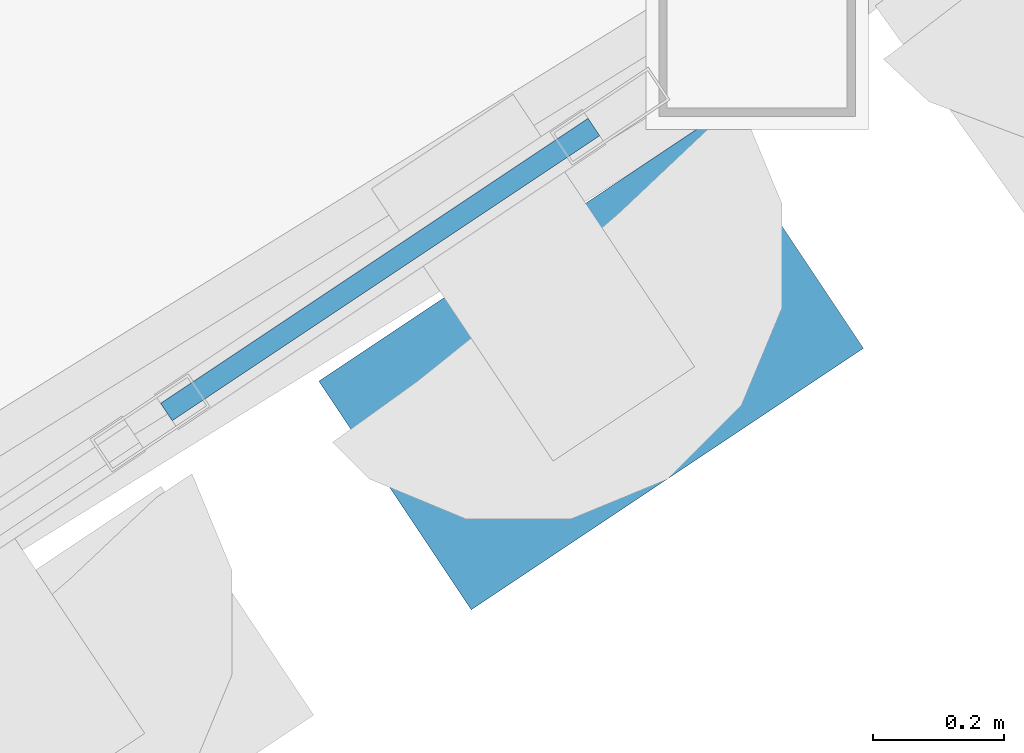
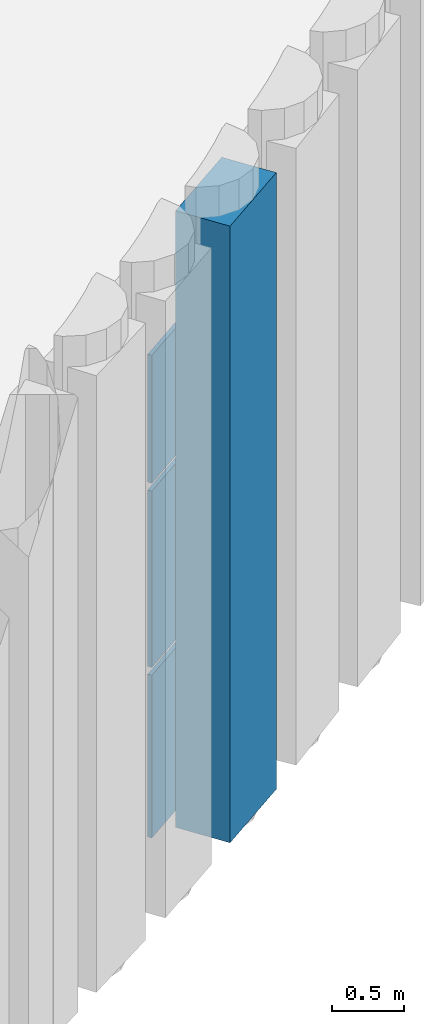
# One storey, part 92 of 126: 4 plates, 1 element without a shape of its own.
"""IFC4 building model written with IfcOpenShell, lengths in metres."""

from ifc_helpers import new_model, si_unit, direction, frame, origin, origin_2d, place, context, subcontext, project, spatial, rectangle, extrude, material, layer, layer_set, type_object, element, aggregate, save


model = new_model("IFC4")

# Units and contexts
model_context = context("Model", 3, precision=1e-05, world=origin(), true_north=direction((0.0, 1.0)))
body_context = subcontext(model_context, "Body", "Model", "MODEL_VIEW")
ifc_project = project(units=[si_unit("LENGTHUNIT", "METRE"), si_unit("AREAUNIT", "SQUARE_METRE"), si_unit("VOLUMEUNIT", "CUBIC_METRE"), si_unit("PLANEANGLEUNIT", "RADIAN"), si_unit("MASSUNIT", "GRAM", prefix="KILO")], contexts=[model_context])

# Site, building, storey
site_placement = place(None, origin())
site = spatial("IfcSite", under=ifc_project, at=site_placement, CompositionType="ELEMENT")
building_placement = place(site_placement, origin())
building = spatial("IfcBuilding", under=site, at=building_placement, Name="Solvadek Multi-Sports Hall", CompositionType="ELEMENT")
storey_placement = place(building_placement, frame((0.0, 0.0, 9.60009765625)))
storey = spatial("IfcBuildingStorey", under=building, at=storey_placement, Name="L02", CompositionType="ELEMENT", Elevation=9.60009765625)

# Curtain wall, plates
ifc_material_1 = material(Name="Anodised aluminium", Category="aluminium")
ifc_layer_1 = layer(ifc_material_1, 0.159912109375, Name="Anodised aluminium")
ifc_layer_set_1 = layer_set([ifc_layer_1], Name="Anodised aluminium")
curtain_wall_type = type_object("IfcCurtainWallType", Name="ENV-CW-175X420", PredefinedType="USERDEFINED", material=ifc_layer_set_1)
curtain_wall_placement = place(storey_placement, origin())
curtain_wall = element("IfcCurtainWall", 1, at=curtain_wall_placement, inside=storey, type_object=curtain_wall_type, Name="L02 Crescent Curved Curtain Wall #102", ObjectType="CURTAIN WALL", PredefinedType="USERDEFINED")
ifc_material_2 = material(Name="Tempered laminated low-E glass", Category="glass")
ifc_layer_2 = layer(ifc_material_2, 0.031982421875, Name="Tempered laminated low-E glass")
ifc_layer_set_2 = layer_set([ifc_layer_2], Name="Tempered laminated low-E glass")
plate_type_1 = type_object("IfcPlateType", Name="ENV-CWP-03", PredefinedType="CURTAIN_PANEL", material=ifc_layer_set_2)
plate_1_placement = place(storey_placement, frame((126.14404296875, -3.2412109375, 0.06494140625), z_axis=(0.0, 0.0, 1.0), x_axis=(0.831997518104, 0.554779352418, 0.0)))
plate_1 = element("IfcPlate", 2, at=plate_1_placement, type_object=plate_type_1, Name="CW-32 panel 2.1", PredefinedType="CURTAIN_PANEL", context=body_context, shape_type="SweptSolid", body=[
    extrude(rectangle(XDim=0.78466796875, YDim=0.031982421875, at=origin_2d()), origin(), (0.0, 0.0, 1.0), 1.37255859375),
])
plate_2_placement = place(storey_placement, frame((126.14404296875, -3.2412109375, 1.50244140625), z_axis=(0.0, 0.0, 1.0), x_axis=(0.831997518104, 0.554779352418, 0.0)))
plate_2 = element("IfcPlate", 3, at=plate_2_placement, type_object=plate_type_1, Name="CW-32 panel 2.2", PredefinedType="CURTAIN_PANEL", context=body_context, shape_type="SweptSolid", body=[
    extrude(rectangle(XDim=0.78466796875, YDim=0.031982421875, at=origin_2d()), origin(), (0.0, 0.0, 1.0), 1.489013671875),
])
plate_3_placement = place(storey_placement, frame((126.14404296875, -3.2412109375, 3.056396484375), z_axis=(0.0, 0.0, 1.0), x_axis=(0.831997518104, 0.554779352418, 0.0)))
plate_3 = element("IfcPlate", 4, at=plate_3_placement, type_object=plate_type_1, Name="CW-32 panel 2.3", PredefinedType="CURTAIN_PANEL", context=body_context, shape_type="SweptSolid", body=[
    extrude(rectangle(XDim=0.78466796875, YDim=0.031982421875, at=origin_2d()), origin(), (0.0, 0.0, 1.0), 1.07861328125),
])
aggregate(curtain_wall, [plate_1, plate_2, plate_3])

# Plate
ifc_material_3 = material(Name="Perforated champagne-bronze anodised aluminium", Category="aluminium")
ifc_layer_3 = layer(ifc_material_3, 0.419921875, Name="Perforated champagne-bronze anodised aluminium")
ifc_layer_set_3 = layer_set([ifc_layer_3], Name="Perforated champagne-bronze anodised aluminium")
plate_type_2 = type_object("IfcPlateType", Name="ENV-FLT-520", PredefinedType="USERDEFINED", material=ifc_layer_set_3)
plate_4_placement = place(storey_placement, frame((126.46630859375, -3.38671875, 0.0400390625), z_axis=(0.0, 0.0, 1.0), x_axis=(0.832027435734, 0.5547344826, 0.0)))
element("IfcPlate", 5, at=plate_4_placement, inside=storey, type_object=plate_type_2, Name="L02 Half-Cylinder Colonnade Flute #204", ObjectType="FLANGED_SHEET", PredefinedType="USERDEFINED", context=body_context, shape_type="SweptSolid", body=[
    extrude(rectangle(XDim=0.719970703125, YDim=0.419921875, at=origin_2d()), origin(), (0.0, 0.0, 1.0), 5.199951171875),
])

save(model, "model.ifc")
